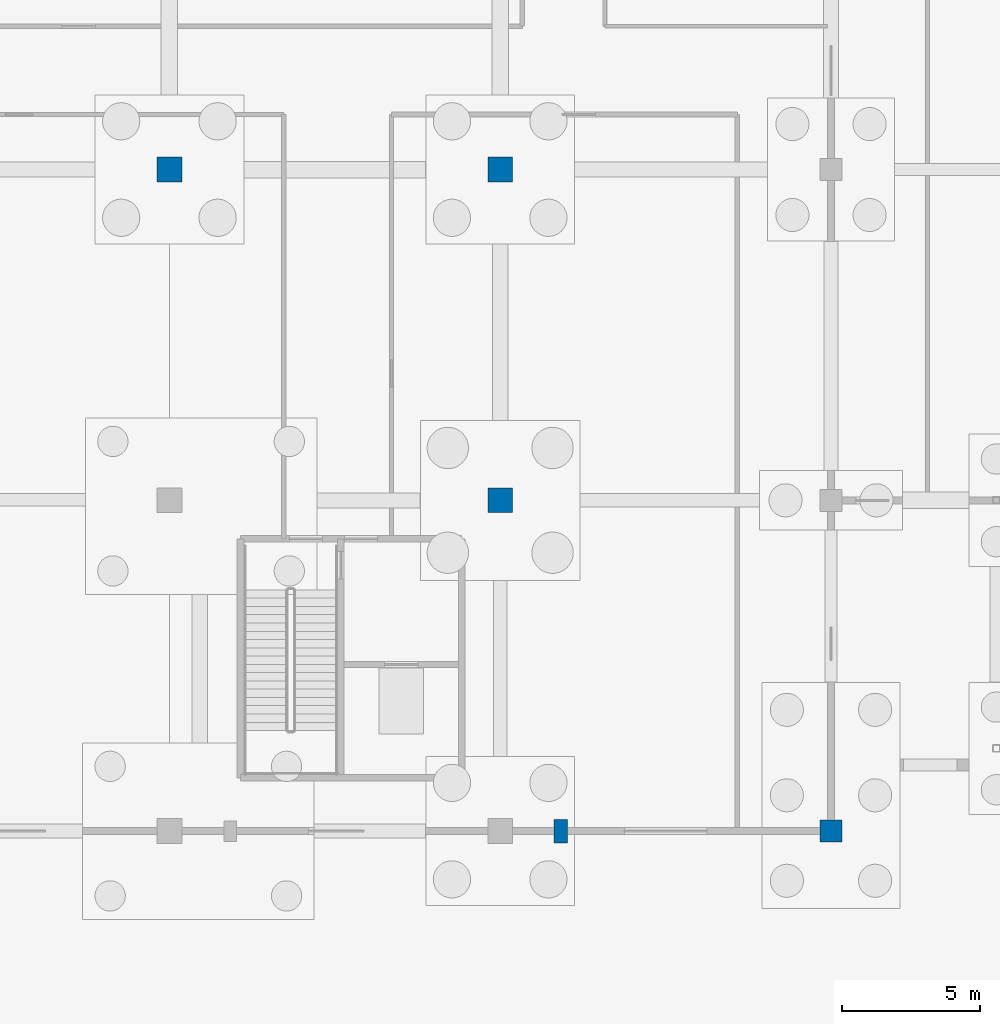
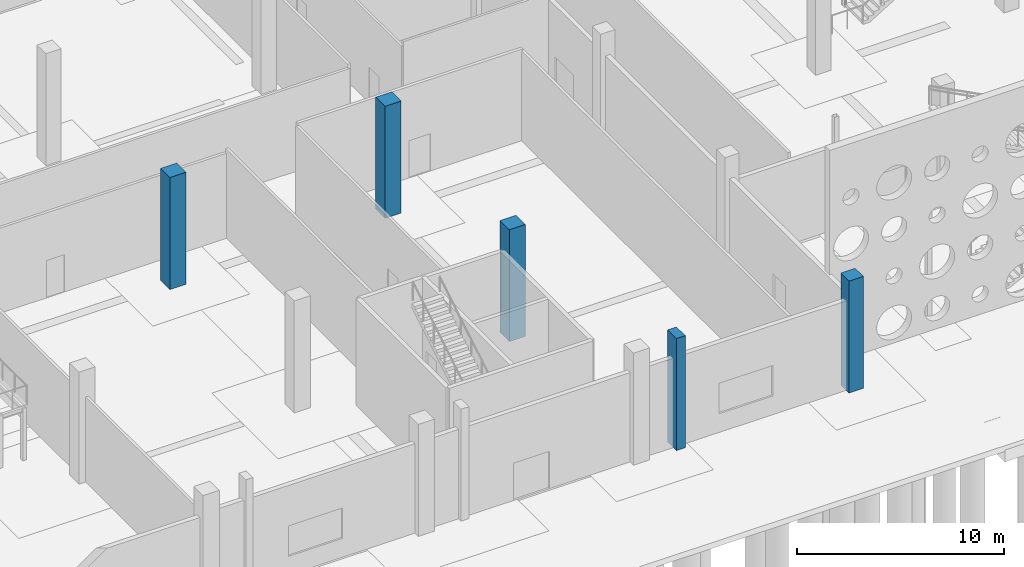
# One storey, part 27 of 117: 5 columns.
"""IFC4 building model written with IfcOpenShell, lengths in metres."""

from ifc_helpers import new_model, si_unit, direction, frame, origin, origin_2d, place, context, subcontext, project, spatial, rectangle, extrude, material, material_profile, profile_set, type_object, element, save


model = new_model("IFC4")

# Units and contexts
model_context = context("Model", 3, precision=1e-05, world=origin(), true_north=direction((0.0, 1.0)))
body_context = subcontext(model_context, "Body", "Model", "MODEL_VIEW")
ifc_project = project(units=[si_unit("LENGTHUNIT", "METRE"), si_unit("AREAUNIT", "SQUARE_METRE"), si_unit("VOLUMEUNIT", "CUBIC_METRE"), si_unit("PLANEANGLEUNIT", "RADIAN"), si_unit("MASSUNIT", "GRAM", prefix="KILO")], contexts=[model_context])

# Site, building, storey
site_placement = place(None, origin())
site = spatial("IfcSite", under=ifc_project, at=site_placement, CompositionType="ELEMENT")
building_placement = place(site_placement, origin())
building = spatial("IfcBuilding", under=site, at=building_placement, Name="Kamomehara Wholesale Market", CompositionType="ELEMENT")
storey_placement = place(building_placement, origin())
storey = spatial("IfcBuildingStorey", under=building, at=storey_placement, Name="L00", CompositionType="ELEMENT", Elevation=0.0)

# Columns
ifc_material_1 = material(Name="Precast concrete Fc45 (C40/50)", Category="concrete")
ifc_material_profile_1 = material_profile(ifc_material_1, rectangle(XDim=0.800048828125, YDim=0.800048828125, at=origin_2d()), Name="PC-COL-800x800")
ifc_profile_set_1 = profile_set([ifc_material_profile_1], Name="Precast concrete Fc45 (C40/50)")
column_type_1 = type_object("IfcColumnType", Name="COL-PC800-EXT", PredefinedType="COLUMN", material=ifc_profile_set_1)
column_1_placement = place(storey_placement, frame((168.0, 12.0, 0.0), z_axis=(0.0, 0.0, 1.0), x_axis=(1.0, 0.0, 0.0)))
element("IfcColumn", 1, at=column_1_placement, inside=storey, type_object=column_type_1, Name="Column C-03E L00", PredefinedType="COLUMN", context=body_context, shape_type="SweptSolid", body=[
    extrude(rectangle(XDim=0.800048828125, YDim=0.800048828125, at=origin_2d()), origin(), (0.0, 0.0, 1.0), 6.60009765625),
])
ifc_material_2 = material(Name="Precast concrete Fc45 (C40/50)", Category="concrete")
ifc_material_profile_2 = material_profile(ifc_material_2, rectangle(XDim=0.89990234375, YDim=0.89990234375, at=origin_2d()), Name="PC-COL-900x900")
ifc_profile_set_2 = profile_set([ifc_material_profile_2], Name="Precast concrete Fc45 (C40/50)")
column_type_2 = type_object("IfcColumnType", Name="COL-PC900-EXT", PredefinedType="COLUMN", material=ifc_profile_set_2)
for number, where, z_axis, x_axis, name in (
    (2, (144.0, 36.0, 0.0), (0.0, 0.0, 1.0), (1.0, 0.0, 0.0), "Column C-01E L00"),
    (3, (156.0, 24.0, 0.0), (0.0, 0.0, 1.0), (1.0, 0.0, 0.0), "Column C-01E L00"),
    (4, (156.0, 36.0, 0.0), (0.0, 0.0, 1.0), (1.0, 0.0, 0.0), "Column C-01E L00"),
):
    element("IfcColumn", number, at=place(storey_placement, frame(where, z_axis=z_axis, x_axis=x_axis)), inside=storey, type_object=column_type_2, Name=name, PredefinedType="COLUMN", context=body_context, shape_type="SweptSolid", body=[
        extrude(rectangle(XDim=0.89990234375, YDim=0.89990234375, at=origin_2d()), origin(), (0.0, 0.0, 1.0), 6.60009765625),
    ])
ifc_material_3 = material(Name="Precast concrete Fc45 (C40/50)", Category="concrete")
ifc_material_profile_3 = material_profile(ifc_material_3, rectangle(XDim=0.5, YDim=0.85009765625, at=origin_2d()), Name="PC-PIL-500x850")
ifc_profile_set_3 = profile_set([ifc_material_profile_3], Name="Precast concrete Fc45 (C40/50)")
column_type_3 = type_object("IfcColumnType", Name="PIL-PC850-EXT", PredefinedType="PILASTER", material=ifc_profile_set_3)
column_2_placement = place(storey_placement, frame((158.199951171875, 12.0, 0.0), z_axis=(0.0, 0.0, 1.0), x_axis=(1.0, 0.0, 0.0)))
element("IfcColumn", 5, at=column_2_placement, inside=storey, type_object=column_type_3, Name="Column PL-03E L00", PredefinedType="PILASTER", context=body_context, shape_type="SweptSolid", body=[
    extrude(rectangle(XDim=0.5, YDim=0.85009765625, at=origin_2d()), origin(), (0.0, 0.0, 1.0), 6.60009765625),
])

save(model, "model.ifc")
